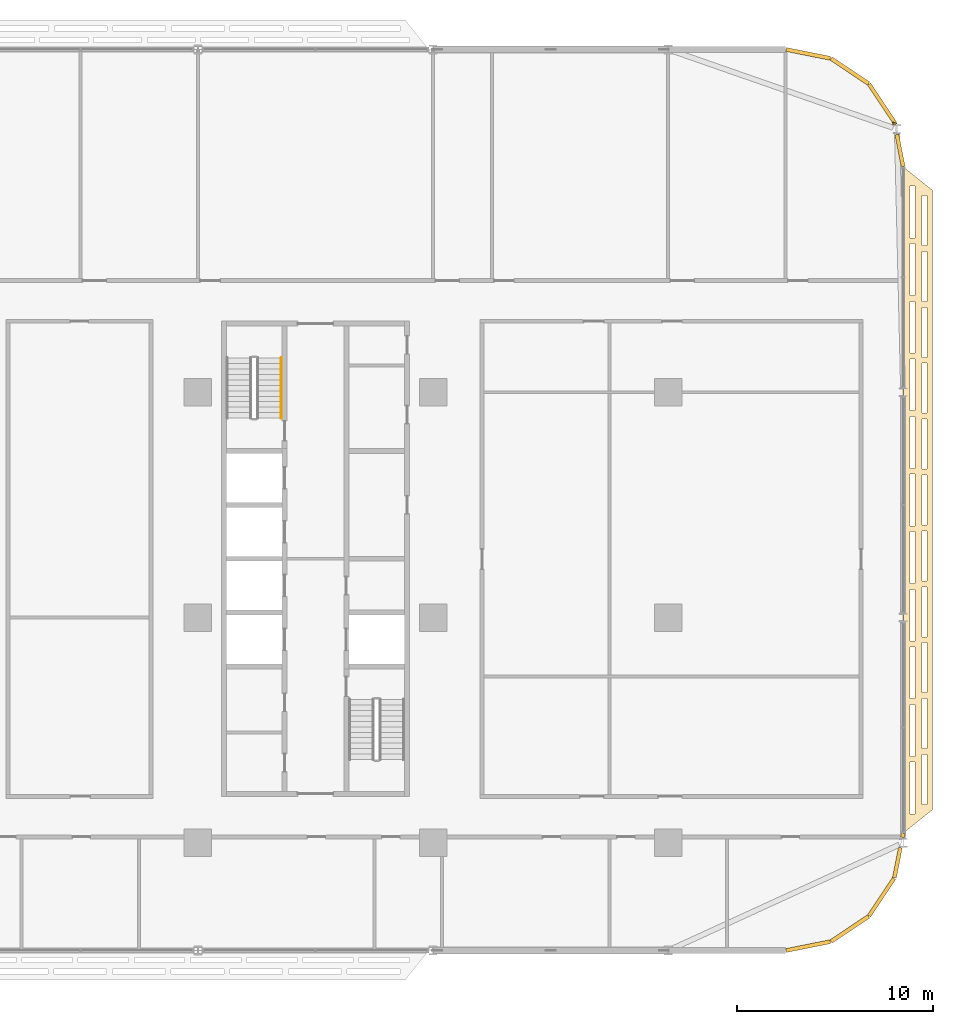
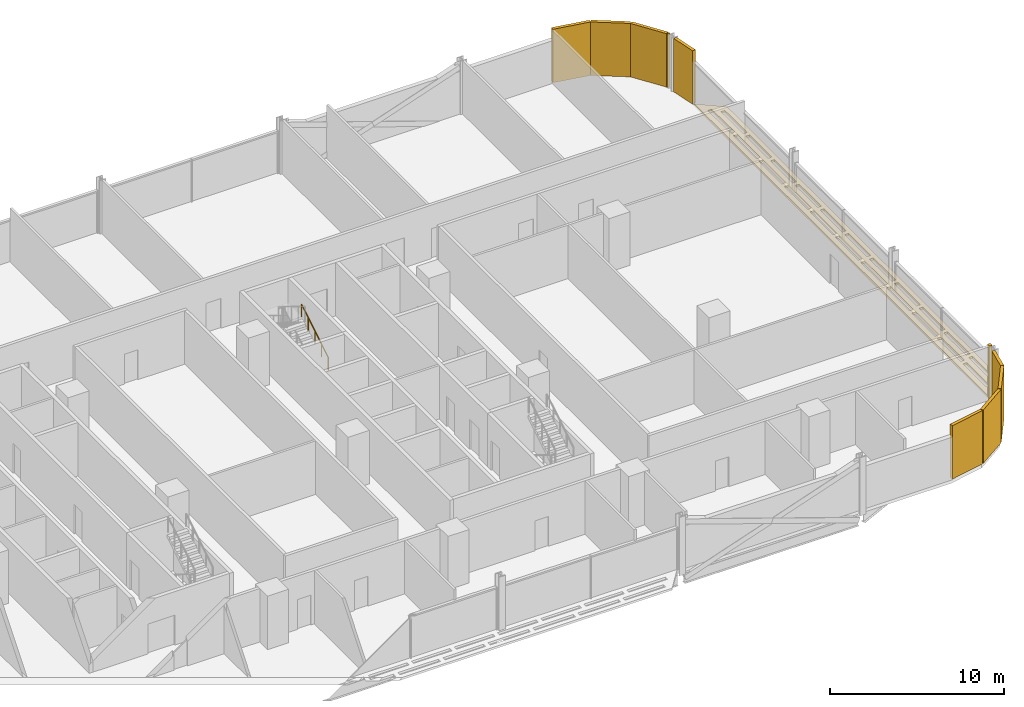
# One storey, part 29 of 29: 11 coverings, 1 railing.
"""IFC4 building model written with IfcOpenShell, lengths in metres."""

from ifc_helpers import new_model, si_unit, direction, frame, origin, origin_2d, place, context, subcontext, project, spatial, polyline, rectangle, circle, outline, extrude, material, layer, layer_set, type_object, element, save


model = new_model("IFC4")

# Units and contexts
model_context = context("Model", 3, precision=1e-05, world=origin(), true_north=direction((0.0, 1.0)))
body_context = subcontext(model_context, "Body", "Model", "MODEL_VIEW")
ifc_project = project(units=[si_unit("LENGTHUNIT", "METRE"), si_unit("AREAUNIT", "SQUARE_METRE"), si_unit("VOLUMEUNIT", "CUBIC_METRE"), si_unit("PLANEANGLEUNIT", "RADIAN"), si_unit("MASSUNIT", "GRAM", prefix="KILO")], contexts=[model_context])

# Site, building, storey
site_placement = place(None, origin())
site = spatial("IfcSite", under=ifc_project, at=site_placement, CompositionType="ELEMENT")
building_placement = place(site_placement, origin())
building = spatial("IfcBuilding", under=site, at=building_placement, Name="Mahtab Terrace Research Tower", CompositionType="ELEMENT")
storey_placement = place(building_placement, frame((0.0, 0.0, 97.10009765625)))
storey = spatial("IfcBuildingStorey", under=building, at=storey_placement, Name="L22", CompositionType="ELEMENT", Elevation=97.10009765625)

# Coverings
ifc_material_1 = material(Name="Black aluminium cladding panel", Category="aluminium")
ifc_layer_1 = layer(ifc_material_1, 0.199951171875)
ifc_layer_set_1 = layer_set([ifc_layer_1], Name="Black metal corner cladding 200")
covering_type_1 = type_object("IfcCoveringType", Name="Black metal corner cladding 200", PredefinedType="CLADDING", material=ifc_layer_set_1)
for number, where, z_axis, x_axis, name in (
    (1, (52.89306640625, 26.26953125, 0.0), (0.0, 0.0, 1.0), (-0.555291490808, 0.831655794326, 0.0), "Corner cladding L22 0"),
    (2, (51.26953125, 27.89306640625, 0.0), (0.0, 0.0, 1.0), (-0.831655794326, 0.555291490808, 0.0), "Corner cladding L22 1"),
    (3, (49.14794921875, 28.771484375, 0.0), (0.0, 0.0, 1.0), (-0.980760981187, 0.195212442692, 0.0), "Corner cladding L22 2"),
    (4, (49.14794921875, -16.771484375, 0.0), (0.0, 0.0, 1.0), (0.980760981187, 0.195212442692, 0.0), "Corner cladding L22 31"),
    (5, (51.26953125, -15.89306640625, 0.0), (0.0, 0.0, 1.0), (0.831655794326, 0.555291490808, 0.0), "Corner cladding L22 32"),
    (6, (52.89306640625, -14.26953125, 0.0), (0.0, 0.0, 1.0), (0.555291490808, 0.831655794326, 0.0), "Corner cladding L22 33"),
):
    element("IfcCovering", number, at=place(storey_placement, frame(where, z_axis=z_axis, x_axis=x_axis)), inside=storey, type_object=covering_type_1, Name=name, PredefinedType="CLADDING", context=body_context, shape_type="SweptSolid", body=[
        extrude(rectangle(XDim=2.30126953125, YDim=0.199951171875, at=origin_2d()), origin(), (0.0, 0.0, 1.0), 3.760009765625),
    ])
covering_1_placement = place(storey_placement, frame((53.699462890625, -12.51025390625, 0.0), z_axis=(0.0, 0.0, 1.0), x_axis=(0.195212442692, 0.980760981187, 0.0)))
element("IfcCovering", 7, at=covering_1_placement, inside=storey, type_object=covering_type_1, Name="Corner cladding L22 34", PredefinedType="CLADDING", context=body_context, shape_type="SweptSolid", body=[
    extrude(rectangle(XDim=1.562744140625, YDim=0.199951171875, at=origin_2d()), origin(), (0.0, 0.0, 1.0), 3.760009765625),
])
covering_2_placement = place(storey_placement, frame((53.977294921875, -11.114013671875, 0.0), z_axis=(0.0, 0.0, 1.0), x_axis=(0.195212442692, 0.980760981187, 0.0)))
element("IfcCovering", 8, at=covering_2_placement, inside=storey, type_object=covering_type_1, Name="Corner cladding L22 35", PredefinedType="CLADDING", context=body_context, shape_type="SweptSolid", body=[
    extrude(rectangle(XDim=0.212158203125, YDim=0.199951171875, at=origin_2d()), origin(), (0.0, 0.0, 1.0), 3.760009765625),
])
covering_3_placement = place(storey_placement, frame((53.833740234375, 23.83544921875, 0.0), z_axis=(0.0, 0.0, 1.0), x_axis=(-0.195212442692, 0.980760981187, 0.0)))
element("IfcCovering", 9, at=covering_3_placement, inside=storey, type_object=covering_type_1, Name="Corner cladding L22 39", PredefinedType="CLADDING", context=body_context, shape_type="SweptSolid", body=[
    extrude(rectangle(XDim=1.6640625, YDim=0.199951171875, at=origin_2d()), origin(), (0.0, 0.0, 1.0), 3.760009765625),
])
covering_4_placement = place(storey_placement, frame((53.5556640625, 25.231689453125, 0.0), z_axis=(0.0, 0.0, 1.0), x_axis=(-0.195212442692, 0.980760981187, 0.0)))
element("IfcCovering", 10, at=covering_4_placement, inside=storey, type_object=covering_type_1, Name="Corner cladding L22 40", PredefinedType="CLADDING", context=body_context, shape_type="SweptSolid", body=[
    extrude(rectangle(XDim=0.11083984375, YDim=0.199951171875, at=origin_2d()), origin(), (0.0, 0.0, 1.0), 3.760009765625),
])
ifc_material_2 = material(Name="Black anodised aluminium", Category="aluminium")
ifc_layer_2 = layer(ifc_material_2, 0.14990234375)
ifc_layer_set_2 = layer_set([ifc_layer_2], Name="Horizontal sunshade band")
covering_type_2 = type_object("IfcCoveringType", Name="Horizontal sunshade band", PredefinedType="CLADDING", material=ifc_layer_set_2)
covering_5_placement = place(storey_placement, frame((0.0, 0.0, -0.150146484375)))
element("IfcCovering", 11, at=covering_5_placement, inside=storey, type_object=covering_type_2, Name="Sunshade band L22 36", PredefinedType="CLADDING", context=body_context, shape_type="SweptSolid", body=[
    extrude(outline(polyline([(54.0, -11.0), (54.0, 23.0), (55.5, 21.800048828125), (55.5, -9.800048828125), (54.0, -11.0)]), holes=[polyline([(54.35009765625, -10.02001953125), (54.35009765625, -7.3798828125), (54.60009765625, -7.3798828125), (54.60009765625, -10.02001953125), (54.35009765625, -10.02001953125)]), polyline([(54.35009765625, -7.080078125), (54.35009765625, -4.43994140625), (54.60009765625, -4.43994140625), (54.60009765625, -7.080078125), (54.35009765625, -7.080078125)]), polyline([(54.35009765625, -4.139892578125), (54.35009765625, -1.5), (54.60009765625, -1.5), (54.60009765625, -4.139892578125), (54.35009765625, -4.139892578125)]), polyline([(54.35009765625, -1.199951171875), (54.35009765625, 1.43994140625), (54.60009765625, 1.43994140625), (54.60009765625, -1.199951171875), (54.35009765625, -1.199951171875)]), polyline([(54.35009765625, 1.739990234375), (54.35009765625, 4.3798828125), (54.60009765625, 4.3798828125), (54.60009765625, 1.739990234375), (54.35009765625, 1.739990234375)]), polyline([(54.35009765625, 4.679931640625), (54.35009765625, 7.320068359375), (54.60009765625, 7.320068359375), (54.60009765625, 4.679931640625), (54.35009765625, 4.679931640625)]), polyline([(54.35009765625, 7.6201171875), (54.35009765625, 10.260009765625), (54.60009765625, 10.260009765625), (54.60009765625, 7.6201171875), (54.35009765625, 7.6201171875)]), polyline([(54.35009765625, 10.56005859375), (54.35009765625, 13.199951171875), (54.60009765625, 13.199951171875), (54.60009765625, 10.56005859375), (54.35009765625, 10.56005859375)]), polyline([(54.35009765625, 13.5), (54.35009765625, 16.139892578125), (54.60009765625, 16.139892578125), (54.60009765625, 13.5), (54.35009765625, 13.5)]), polyline([(54.35009765625, 16.43994140625), (54.35009765625, 19.080078125), (54.60009765625, 19.080078125), (54.60009765625, 16.43994140625), (54.35009765625, 16.43994140625)]), polyline([(54.35009765625, 19.3798828125), (54.35009765625, 22.02001953125), (54.60009765625, 22.02001953125), (54.60009765625, 19.3798828125), (54.35009765625, 19.3798828125)]), polyline([(54.949951171875, -9.5400390625), (54.949951171875, -6.987060546875), (55.199951171875, -6.987060546875), (55.199951171875, -9.5400390625), (54.949951171875, -9.5400390625)]), polyline([(54.949951171875, -6.68701171875), (54.949951171875, -4.135009765625), (55.199951171875, -4.135009765625), (55.199951171875, -6.68701171875), (54.949951171875, -6.68701171875)]), polyline([(54.949951171875, -3.8349609375), (54.949951171875, -1.281982421875), (55.199951171875, -1.281982421875), (55.199951171875, -3.8349609375), (54.949951171875, -3.8349609375)]), polyline([(54.949951171875, -0.98193359375), (54.949951171875, 1.571044921875), (55.199951171875, 1.571044921875), (55.199951171875, -0.98193359375), (54.949951171875, -0.98193359375)]), polyline([(54.949951171875, 1.87109375), (54.949951171875, 4.424072265625), (55.199951171875, 4.424072265625), (55.199951171875, 1.87109375), (54.949951171875, 1.87109375)]), polyline([(54.949951171875, 4.72412109375), (54.949951171875, 7.27587890625), (55.199951171875, 7.27587890625), (55.199951171875, 4.72412109375), (54.949951171875, 4.72412109375)]), polyline([(54.949951171875, 7.575927734375), (54.949951171875, 10.12890625), (55.199951171875, 10.12890625), (55.199951171875, 7.575927734375), (54.949951171875, 7.575927734375)]), polyline([(54.949951171875, 10.428955078125), (54.949951171875, 12.98193359375), (55.199951171875, 12.98193359375), (55.199951171875, 10.428955078125), (54.949951171875, 10.428955078125)]), polyline([(54.949951171875, 13.281982421875), (54.949951171875, 15.8349609375), (55.199951171875, 15.8349609375), (55.199951171875, 13.281982421875), (54.949951171875, 13.281982421875)]), polyline([(54.949951171875, 16.135009765625), (54.949951171875, 18.68701171875), (55.199951171875, 18.68701171875), (55.199951171875, 16.135009765625), (54.949951171875, 16.135009765625)]), polyline([(54.949951171875, 18.987060546875), (54.949951171875, 21.5400390625), (55.199951171875, 21.5400390625), (55.199951171875, 18.987060546875), (54.949951171875, 18.987060546875)])]), origin(), (0.0, 0.0, 1.0), 0.150146484375),
])

# Railing
ifc_material_3 = material(Name="Stainless steel AISI 304", Category="steel")
railing_type = type_object("IfcRailingType", Name="Stair handrail 900", PredefinedType="HANDRAIL", material=ifc_material_3)
railing_placement = place(storey_placement, frame((22.25, 10.175048828125, 0.170654296875)))
element("IfcRailing", 12, at=railing_placement, inside=storey, type_object=railing_type, Name="L22 ST3 stair handrail 1", PredefinedType="HANDRAIL", context=body_context, shape_type="SweptSolid", body=[
    extrude(circle(Radius=0.02392578125, at=origin_2d()), frame((0.0, 0.0, 0.8759765625), z_axis=(0.0, 0.853647949592, 0.520850437417), x_axis=(-1.0, 0.0, 0.0)), (0.0, 0.0, 1.0), 3.60791015625),
    extrude(circle(Radius=0.02099609375, at=origin_2d()), origin(), (0.0, 0.0, 1.0), 0.851806640625),
    extrude(circle(Radius=0.02099609375, at=origin_2d()), frame((0.0, 0.77001953125, 0.4697265625)), (0.0, 0.0, 1.0), 0.851806640625),
    extrude(circle(Radius=0.02099609375, at=origin_2d()), frame((0.0, 1.5400390625, 0.939453125)), (0.0, 0.0, 1.0), 0.851806640625),
    extrude(circle(Radius=0.02099609375, at=origin_2d()), frame((0.0, 2.309814453125, 1.409423828125)), (0.0, 0.0, 1.0), 0.851806640625),
    extrude(circle(Radius=0.02099609375, at=origin_2d()), frame((0.0, 3.079833984375, 1.879150390625)), (0.0, 0.0, 1.0), 0.851806640625),
])

save(model, "model.ifc")
